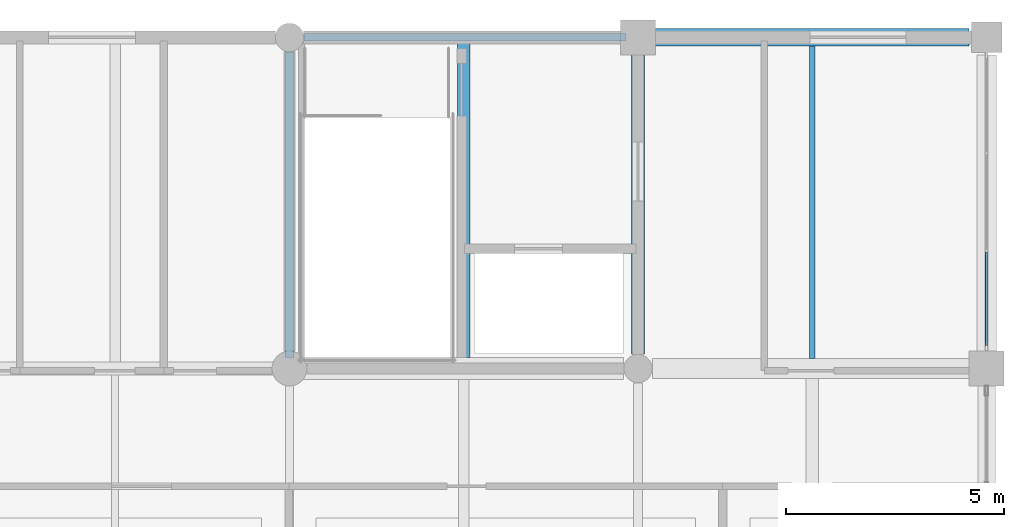
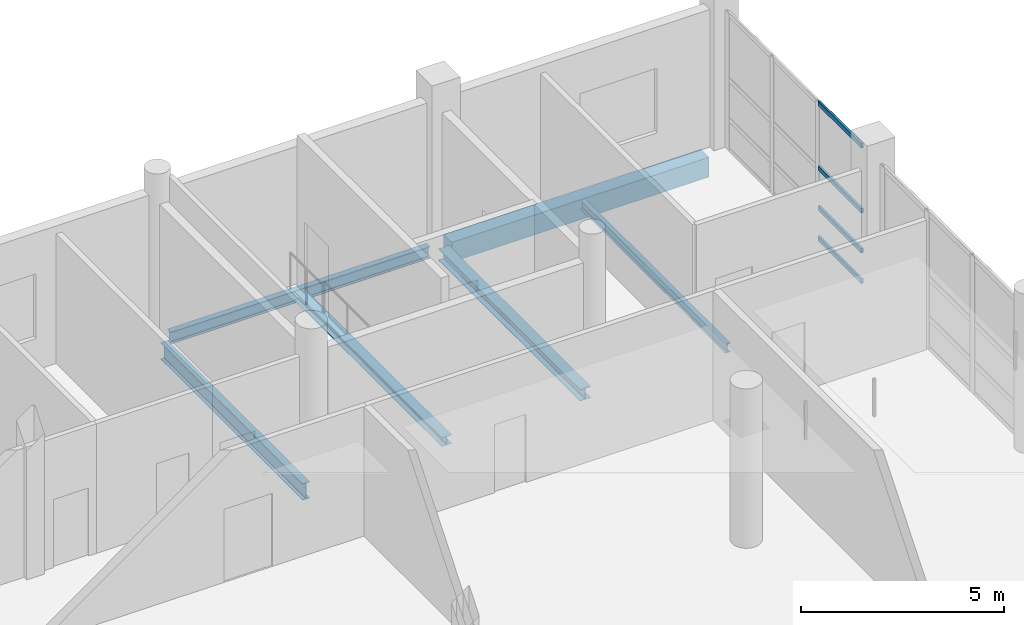
# One storey, part 8 of 18: 6 beams, 4 members, 1 element without a shape of its own.
"""IFC4 building model written with IfcOpenShell, lengths in metres."""

from ifc_helpers import new_model, si_unit, direction, frame, origin, origin_2d, place, context, subcontext, project, spatial, rectangle, hollow_rectangle, i_section, extrude, material, material_profile, profile_set, type_object, element, aggregate, save


model = new_model("IFC4")

# Units and contexts
model_context = context("Model", 3, precision=1e-05, world=origin(), true_north=direction((0.0, 1.0)))
body_context = subcontext(model_context, "Body", "Model", "MODEL_VIEW")
ifc_project = project(units=[si_unit("LENGTHUNIT", "METRE"), si_unit("AREAUNIT", "SQUARE_METRE"), si_unit("VOLUMEUNIT", "CUBIC_METRE"), si_unit("PLANEANGLEUNIT", "RADIAN"), si_unit("MASSUNIT", "GRAM", prefix="KILO")], contexts=[model_context])

# Site, building, storey
site_placement = place(None, origin())
site = spatial("IfcSite", under=ifc_project, at=site_placement, CompositionType="ELEMENT")
building_placement = place(site_placement, origin())
building = spatial("IfcBuilding", under=site, at=building_placement, Name="Khelvaren Railside Concert Hall", CompositionType="ELEMENT")
storey_placement = place(building_placement, frame((0.0, 0.0, 24.60009765625)))
storey = spatial("IfcBuildingStorey", under=building, at=storey_placement, Name="L05", CompositionType="ELEMENT", Elevation=24.60009765625)

# Beams
ifc_material_1 = material(Name="Steel S355", Category="steel")
ifc_material_profile_1 = material_profile(ifc_material_1, i_section(OverallWidth=0.199951171875, OverallDepth=0.5, WebThickness=0.01025390625, FlangeThickness=0.01611328125, FilletRadius=0.02099609375, at=origin_2d()), Name="IPE 500")
ifc_profile_set_1 = profile_set([ifc_material_profile_1], Name="Steel S355")
beam_type_1 = type_object("IfcBeamType", Name="BM62", PredefinedType="BEAM", material=ifc_profile_set_1)
beam_1_placement = place(storey_placement, frame((168.0, 106.64990234375, -0.510009765625), z_axis=(0.0, 1.0, 0.0), x_axis=(-1.0, 0.0, 0.0)))
element("IfcBeam", 1, at=beam_1_placement, inside=storey, type_object=beam_type_1, Name="V5 L05 Beam Y6.4", PredefinedType="BEAM", context=body_context, shape_type="SweptSolid", body=[
    extrude(i_section(OverallWidth=0.199951171875, OverallDepth=0.5, WebThickness=0.01025390625, FlangeThickness=0.01611328125, FilletRadius=0.02099609375, at=origin_2d()), origin(), (0.0, 0.0, 1.0), 7.01416015625),
])
ifc_material_profile_2 = material_profile(ifc_material_1, i_section(OverallWidth=0.300048828125, OverallDepth=0.35009765625, WebThickness=0.010009765625, FlangeThickness=0.017578125, FilletRadius=0.027099609375, at=origin_2d()), Name="HEA 360")
ifc_profile_set_2 = profile_set([ifc_material_profile_2], Name="Steel S355")
beam_type_2 = type_object("IfcBeamType", Name="BM73", PredefinedType="BEAM", material=ifc_profile_set_2)
beam_2_placement = place(storey_placement, frame((176.0, 106.736083984375, -0.43505859375), z_axis=(0.0, 1.0, 0.0), x_axis=(-1.0, 0.0, 0.0)))
element("IfcBeam", 2, at=beam_2_placement, inside=storey, type_object=beam_type_2, Name="V5 L05 Beam Y7.4", PredefinedType="BEAM", context=body_context, shape_type="SweptSolid", body=[
    extrude(i_section(OverallWidth=0.300048828125, OverallDepth=0.35009765625, WebThickness=0.010009765625, FlangeThickness=0.017578125, FilletRadius=0.027099609375, at=origin_2d()), origin(), (0.0, 0.0, 1.0), 6.990966796875),
])

# Curtain wall, members
ifc_material_2 = material(Name="Double-glazed low-E dark acoustic glass", Category="glass")
curtain_wall_type = type_object("IfcCurtainWallType", Name="CW65", PredefinedType="USERDEFINED", material=ifc_material_2)
curtain_wall_placement = place(storey_placement, origin())
curtain_wall = element("IfcCurtainWall", 3, at=curtain_wall_placement, inside=storey, type_object=curtain_wall_type, Name="Unitised Curtain Wall CW-V5-L05-E-106", ObjectType="UNITISED CURTAIN WALL", PredefinedType="USERDEFINED")
ifc_material_3 = material(Name="Anodised architectural aluminium 6063-T6", Category="aluminium")
ifc_material_profile_3 = material_profile(ifc_material_3, hollow_rectangle(XDim=0.06494140625, YDim=0.139892578125, WallThickness=0.00390625, InnerFilletRadius=0.001953125, OuterFilletRadius=0.00390625, at=origin_2d()), Name="CWT 65x140x4")
ifc_profile_set_3 = profile_set([ifc_material_profile_3], Name="Anodised architectural aluminium 6063-T6")
member_type = type_object("IfcMemberType", Name="CWT72", PredefinedType="USERDEFINED", material=ifc_profile_set_3)
member_1_placement = place(storey_placement, frame((184.0, 109.0732421875, 0.032470703125), z_axis=(0.0, -1.0, 0.0), x_axis=(1.0, 0.0, 0.0)))
member_1 = element("IfcMember", 4, at=member_1_placement, type_object=member_type, Name="CW65 transom 3.1", ObjectType="TRANSOM", PredefinedType="USERDEFINED", context=body_context, shape_type="SweptSolid", body=[
    extrude(hollow_rectangle(XDim=0.06494140625, YDim=0.139892578125, WallThickness=0.00390625, InnerFilletRadius=0.001953125, OuterFilletRadius=0.00390625, at=origin_2d()), origin(), (0.0, 0.0, 1.0), 2.140625),
])
member_2_placement = place(storey_placement, frame((184.0, 109.0732421875, 0.949951171875), z_axis=(0.0, -1.0, 0.0), x_axis=(1.0, 0.0, 0.0)))
member_2 = element("IfcMember", 5, at=member_2_placement, type_object=member_type, Name="CW65 transom 3.2", ObjectType="TRANSOM", PredefinedType="USERDEFINED", context=body_context, shape_type="SweptSolid", body=[
    extrude(hollow_rectangle(XDim=0.06494140625, YDim=0.139892578125, WallThickness=0.00390625, InnerFilletRadius=0.001953125, OuterFilletRadius=0.00390625, at=origin_2d()), origin(), (0.0, 0.0, 1.0), 2.140625),
])
member_3_placement = place(storey_placement, frame((184.0, 109.0732421875, 2.152587890625), z_axis=(0.0, -1.0, 0.0), x_axis=(1.0, 0.0, 0.0)))
member_3 = element("IfcMember", 6, at=member_3_placement, type_object=member_type, Name="CW65 transom 3.3", ObjectType="TRANSOM", PredefinedType="USERDEFINED", context=body_context, shape_type="SweptSolid", body=[
    extrude(hollow_rectangle(XDim=0.06494140625, YDim=0.139892578125, WallThickness=0.00390625, InnerFilletRadius=0.001953125, OuterFilletRadius=0.00390625, at=origin_2d()), origin(), (0.0, 0.0, 1.0), 2.140625),
])
member_4_placement = place(storey_placement, frame((184.0, 109.0732421875, 4.107421875), z_axis=(0.0, -1.0, 0.0), x_axis=(1.0, 0.0, 0.0)))
member_4 = element("IfcMember", 7, at=member_4_placement, type_object=member_type, Name="CW65 transom 3.4", ObjectType="TRANSOM", PredefinedType="USERDEFINED", context=body_context, shape_type="SweptSolid", body=[
    extrude(hollow_rectangle(XDim=0.06494140625, YDim=0.139892578125, WallThickness=0.00390625, InnerFilletRadius=0.001953125, OuterFilletRadius=0.00390625, at=origin_2d()), origin(), (0.0, 0.0, 1.0), 2.140625),
])
aggregate(curtain_wall, [member_1, member_2, member_3, member_4])

# Beams
ifc_material_profile_4 = material_profile(ifc_material_1, i_section(OverallWidth=0.280029296875, OverallDepth=0.27001953125, WebThickness=0.008056640625, FlangeThickness=0.012939453125, FilletRadius=0.02392578125, at=origin_2d()), Name="HEA 280")
ifc_profile_set_4 = profile_set([ifc_material_profile_4], Name="Steel S355")
beam_type_3 = type_object("IfcBeamType", Name="JS46", PredefinedType="JOIST", material=ifc_profile_set_4)
beam_3_placement = place(storey_placement, frame((172.0, 106.64990234375, -0.39501953125), z_axis=(0.0, 1.0, 0.0), x_axis=(-1.0, 0.0, 0.0)))
element("IfcBeam", 8, at=beam_3_placement, inside=storey, type_object=beam_type_3, Name="V5 L05 Secondary Joist 6.4", PredefinedType="JOIST", context=body_context, shape_type="SweptSolid", body=[
    extrude(i_section(OverallWidth=0.280029296875, OverallDepth=0.27001953125, WebThickness=0.008056640625, FlangeThickness=0.012939453125, FilletRadius=0.02392578125, at=origin_2d()), origin(), (0.0, 0.0, 1.0), 7.26513671875),
])
ifc_material_profile_5 = material_profile(ifc_material_1, i_section(OverallWidth=0.135009765625, OverallDepth=0.27001953125, WebThickness=0.006591796875, FlangeThickness=0.01025390625, FilletRadius=0.014892578125, at=origin_2d()), Name="IPE 270")
ifc_profile_set_5 = profile_set([ifc_material_profile_5], Name="Steel S355")
beam_type_4 = type_object("IfcBeamType", Name="JS78", PredefinedType="JOIST", material=ifc_profile_set_5)
beam_4_placement = place(storey_placement, frame((180.0, 106.625, -0.39501953125), z_axis=(0.0, 1.0, 0.0), x_axis=(-1.0, 0.0, 0.0)))
element("IfcBeam", 9, at=beam_4_placement, inside=storey, type_object=beam_type_4, Name="V5 L05 Secondary Joist 7.4", PredefinedType="JOIST", context=body_context, shape_type="SweptSolid", body=[
    extrude(i_section(OverallWidth=0.135009765625, OverallDepth=0.27001953125, WebThickness=0.006591796875, FlangeThickness=0.01025390625, FilletRadius=0.014892578125, at=origin_2d()), origin(), (0.0, 0.0, 1.0), 7.175048828125),
])
ifc_material_profile_6 = material_profile(ifc_material_1, i_section(OverallWidth=0.169921875, OverallDepth=0.360107421875, WebThickness=0.008056640625, FlangeThickness=0.0126953125, FilletRadius=0.01806640625, at=origin_2d()), Name="IPE 360")
ifc_profile_set_6 = profile_set([ifc_material_profile_6], Name="Steel S355")
beam_type_5 = type_object("IfcBeamType", Name="SP74", PredefinedType="SPANDREL", material=ifc_profile_set_6)
beam_5_placement = place(storey_placement, frame((168.3359375, 114.0, -0.440185546875), z_axis=(1.0, 0.0, 0.0), x_axis=(0.0, 1.0, 0.0)))
element("IfcBeam", 10, at=beam_5_placement, inside=storey, type_object=beam_type_5, Name="V5 L05 Spandrel X5.6", PredefinedType="SPANDREL", context=body_context, shape_type="SweptSolid", body=[
    extrude(i_section(OverallWidth=0.169921875, OverallDepth=0.360107421875, WebThickness=0.008056640625, FlangeThickness=0.0126953125, FilletRadius=0.01806640625, at=origin_2d()), origin(), (0.0, 0.0, 1.0), 7.39111328125),
])
ifc_material_4 = material(Name="Concrete C40/50", Category="concrete")
ifc_material_profile_7 = material_profile(ifc_material_4, rectangle(XDim=0.39990234375, YDim=0.60009765625, at=origin_2d()), Name="RCB 400x600")
ifc_profile_set_7 = profile_set([ifc_material_profile_7], Name="Concrete C40/50")
beam_type_6 = type_object("IfcBeamType", Name="SP75", PredefinedType="SPANDREL", material=ifc_profile_set_7)
beam_6_placement = place(storey_placement, frame((176.27294921875, 114.0, -0.56005859375), z_axis=(1.0, 0.0, 0.0), x_axis=(0.0, 1.0, 0.0)))
element("IfcBeam", 11, at=beam_6_placement, inside=storey, type_object=beam_type_6, Name="V5 L05 Spandrel X5.7", PredefinedType="SPANDREL", context=body_context, shape_type="SweptSolid", body=[
    extrude(rectangle(XDim=0.39990234375, YDim=0.60009765625, at=origin_2d()), origin(), (0.0, 0.0, 1.0), 7.3271484375),
])

save(model, "model.ifc")
